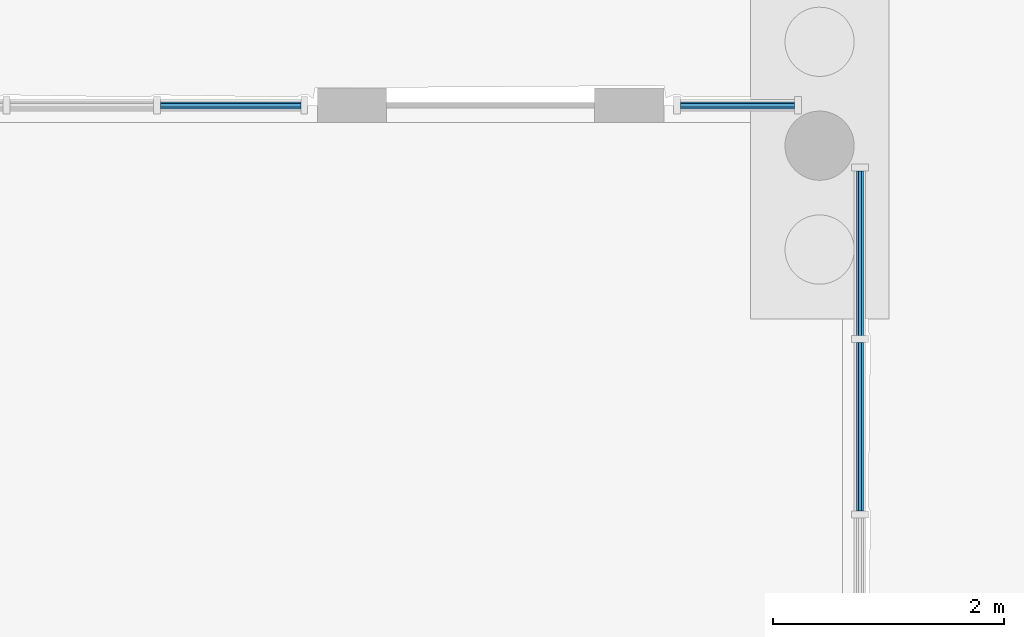
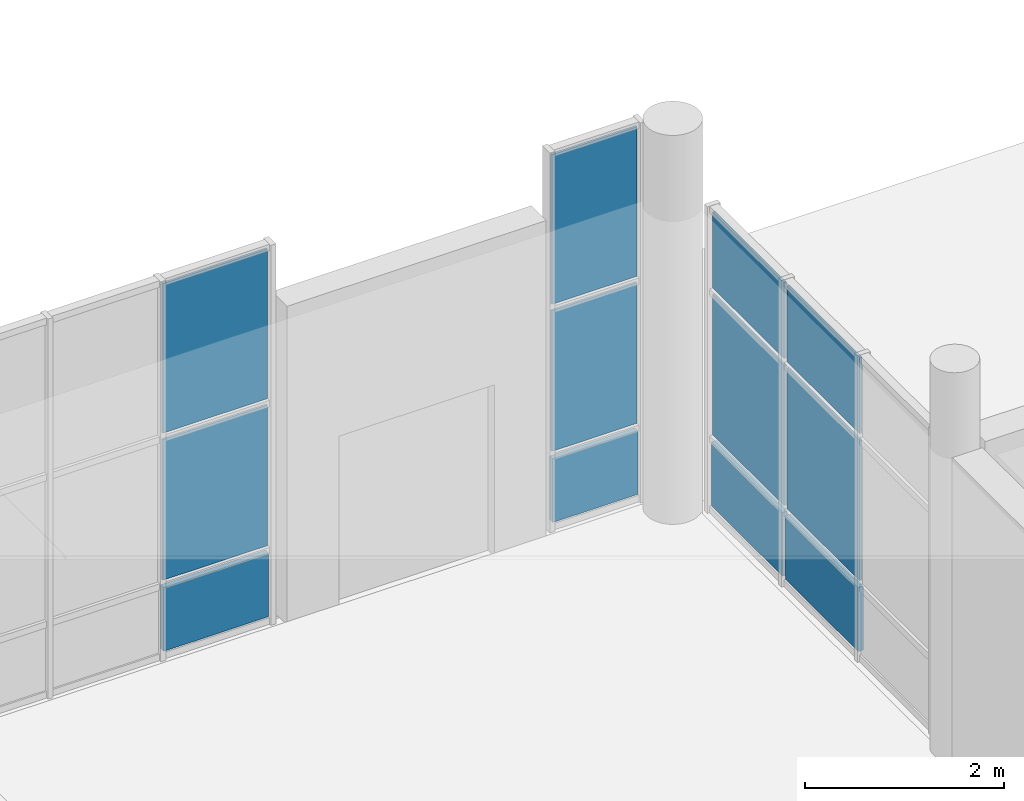
# One storey, part 52 of 110: 12 plates, 3 elements without a shape of their own.
"""IFC4 building model written with IfcOpenShell, lengths in metres."""

from ifc_helpers import new_model, si_unit, direction, frame, origin, origin_2d, place, context, subcontext, project, spatial, rectangle, extrude, material, layer, layer_set, type_object, element, aggregate, save


model = new_model("IFC4")

# Units and contexts
model_context = context("Model", 3, precision=1e-05, world=origin(), true_north=direction((0.0, 1.0)))
body_context = subcontext(model_context, "Body", "Model", "MODEL_VIEW")
ifc_project = project(units=[si_unit("LENGTHUNIT", "METRE"), si_unit("AREAUNIT", "SQUARE_METRE"), si_unit("VOLUMEUNIT", "CUBIC_METRE"), si_unit("PLANEANGLEUNIT", "RADIAN"), si_unit("MASSUNIT", "GRAM", prefix="KILO")], contexts=[model_context])

# Site, building, storey
site_placement = place(None, origin())
site = spatial("IfcSite", under=ifc_project, at=site_placement, CompositionType="ELEMENT")
building_placement = place(site_placement, origin())
building = spatial("IfcBuilding", under=site, at=building_placement, Name="Larchfold Concert Hall", CompositionType="ELEMENT")
storey_placement = place(building_placement, origin())
storey = spatial("IfcBuildingStorey", under=building, at=storey_placement, Name="L00", CompositionType="ELEMENT", Elevation=0.0)

# Curtain wall, plates
ifc_material_1 = material(Name="Anodised graphite aluminium curtain wall", Category="aluminium")
ifc_layer_1 = layer(ifc_material_1, 0.14990234375)
ifc_layer_set_1 = layer_set([ifc_layer_1], Name="Anodised graphite aluminium curtain wall")
curtain_wall_type = type_object("IfcCurtainWallType", Name="Curtain wall WG", PredefinedType="NOTDEFINED", material=ifc_layer_set_1)
curtain_wall_1_placement = place(storey_placement, origin())
curtain_wall_1 = element("IfcCurtainWall", 1, at=curtain_wall_1_placement, inside=storey, type_object=curtain_wall_type, Name="Curtain wall CW0095", PredefinedType="NOTDEFINED")
ifc_material_2 = material(Name="Insulated glazing unit, glass", Category="glass")
ifc_layer_2 = layer(ifc_material_2, 0.028076171875)
ifc_layer_set_2 = layer_set([ifc_layer_2], Name="Insulated glazing unit, glass")
plate_type_1 = type_object("IfcPlateType", Name="Glass panel 28", PredefinedType="CURTAIN_PANEL", material=ifc_layer_set_2)
plate_1_placement = place(storey_placement, frame((76.199951171875, 129.214111328125, 0.93994140625), z_axis=(0.0, 0.0, 1.0), x_axis=(0.0, 1.0, 0.0)))
plate_1 = element("IfcPlate", 2, at=plate_1_placement, type_object=plate_type_1, Name="CW0095 panel 2.2", PredefinedType="CURTAIN_PANEL", context=body_context, shape_type="SweptSolid", body=[
    extrude(rectangle(XDim=1.458740234375, YDim=0.028076171875, at=origin_2d()), origin(), (0.0, 0.0, 1.0), 1.719970703125),
])
plate_2_placement = place(storey_placement, frame((76.199951171875, 129.214111328125, 2.740234375), z_axis=(0.0, 0.0, 1.0), x_axis=(0.0, 1.0, 0.0)))
plate_2 = element("IfcPlate", 3, at=plate_2_placement, type_object=plate_type_1, Name="CW0095 panel 2.3", PredefinedType="CURTAIN_PANEL", context=body_context, shape_type="SweptSolid", body=[
    extrude(rectangle(XDim=1.458740234375, YDim=0.028076171875, at=origin_2d()), origin(), (0.0, 0.0, 1.0), 0.929931640625),
])
plate_3_placement = place(storey_placement, frame((76.199951171875, 130.717529296875, 0.93994140625), z_axis=(0.0, 0.0, 1.0), x_axis=(0.0, 1.0, 0.0)))
plate_3 = element("IfcPlate", 4, at=plate_3_placement, type_object=plate_type_1, Name="CW0095 panel 3.2", PredefinedType="CURTAIN_PANEL", context=body_context, shape_type="SweptSolid", body=[
    extrude(rectangle(XDim=1.4287109375, YDim=0.028076171875, at=origin_2d()), origin(), (0.0, 0.0, 1.0), 1.719970703125),
])
plate_4_placement = place(storey_placement, frame((76.199951171875, 130.717529296875, 2.740234375), z_axis=(0.0, 0.0, 1.0), x_axis=(0.0, 1.0, 0.0)))
plate_4 = element("IfcPlate", 5, at=plate_4_placement, type_object=plate_type_1, Name="CW0095 panel 3.3", PredefinedType="CURTAIN_PANEL", context=body_context, shape_type="SweptSolid", body=[
    extrude(rectangle(XDim=1.4287109375, YDim=0.028076171875, at=origin_2d()), origin(), (0.0, 0.0, 1.0), 0.929931640625),
])

curtain_wall_2_placement = place(storey_placement, origin())
curtain_wall_2 = element("IfcCurtainWall", 6, at=curtain_wall_2_placement, inside=storey, type_object=curtain_wall_type, Name="Curtain wall CW0096", PredefinedType="NOTDEFINED")
plate_5_placement = place(storey_placement, frame((75.138671875, 132.0, 0.93994140625), z_axis=(0.0, 0.0, 1.0), x_axis=(-1.0, 0.0, 0.0)))
plate_5 = element("IfcPlate", 7, at=plate_5_placement, type_object=plate_type_1, Name="CW0096 panel 1.2", PredefinedType="CURTAIN_PANEL", context=body_context, shape_type="SweptSolid", body=[
    extrude(rectangle(XDim=0.987548828125, YDim=0.028076171875, at=origin_2d()), origin(), (0.0, 0.0, 1.0), 1.719970703125),
])
plate_6_placement = place(storey_placement, frame((75.138671875, 132.0, 2.740234375), z_axis=(0.0, 0.0, 1.0), x_axis=(-1.0, 0.0, 0.0)))
plate_6 = element("IfcPlate", 8, at=plate_6_placement, type_object=plate_type_1, Name="CW0096 panel 1.3", PredefinedType="CURTAIN_PANEL", context=body_context, shape_type="SweptSolid", body=[
    extrude(rectangle(XDim=0.987548828125, YDim=0.028076171875, at=origin_2d()), origin(), (0.0, 0.0, 1.0), 1.829833984375),
])

curtain_wall_3_placement = place(storey_placement, origin())
curtain_wall_3 = element("IfcCurtainWall", 9, at=curtain_wall_3_placement, inside=storey, type_object=curtain_wall_type, Name="Curtain wall CW0097", PredefinedType="NOTDEFINED")
plate_7_placement = place(storey_placement, frame((70.74755859375, 132.0, 0.93994140625), z_axis=(0.0, 0.0, 1.0), x_axis=(-1.0, 0.0, 0.0)))
plate_7 = element("IfcPlate", 10, at=plate_7_placement, type_object=plate_type_1, Name="CW0097 panel 1.2", PredefinedType="CURTAIN_PANEL", context=body_context, shape_type="SweptSolid", body=[
    extrude(rectangle(XDim=1.215087890625, YDim=0.028076171875, at=origin_2d()), origin(), (0.0, 0.0, 1.0), 1.719970703125),
])
plate_8_placement = place(storey_placement, frame((70.74755859375, 132.0, 2.740234375), z_axis=(0.0, 0.0, 1.0), x_axis=(-1.0, 0.0, 0.0)))
plate_8 = element("IfcPlate", 11, at=plate_8_placement, type_object=plate_type_1, Name="CW0097 panel 1.3", PredefinedType="CURTAIN_PANEL", context=body_context, shape_type="SweptSolid", body=[
    extrude(rectangle(XDim=1.215087890625, YDim=0.028076171875, at=origin_2d()), origin(), (0.0, 0.0, 1.0), 1.829833984375),
])

# Plate
ifc_material_3 = material(Name="White insulated panel")
ifc_layer_3 = layer(ifc_material_3, 0.06005859375)
ifc_layer_set_3 = layer_set([ifc_layer_3], Name="White insulated panel")
plate_type_2 = type_object("IfcPlateType", Name="Insulated spandrel panel 60", PredefinedType="CURTAIN_PANEL", material=ifc_layer_set_3)
plate_9_placement = place(storey_placement, frame((76.199951171875, 129.214111328125, 0.080078125), z_axis=(0.0, 0.0, 1.0), x_axis=(0.0, 1.0, 0.0)))
plate_9 = element("IfcPlate", 12, at=plate_9_placement, type_object=plate_type_2, Name="CW0095 panel 2.1", PredefinedType="CURTAIN_PANEL", context=body_context, shape_type="SweptSolid", body=[
    extrude(rectangle(XDim=1.458740234375, YDim=0.06005859375, at=origin_2d()), origin(), (0.0, 0.0, 1.0), 0.77978515625),
])

plate_10_placement = place(storey_placement, frame((76.199951171875, 130.717529296875, 0.080078125), z_axis=(0.0, 0.0, 1.0), x_axis=(0.0, 1.0, 0.0)))
plate_10 = element("IfcPlate", 13, at=plate_10_placement, type_object=plate_type_2, Name="CW0095 panel 3.1", PredefinedType="CURTAIN_PANEL", context=body_context, shape_type="SweptSolid", body=[
    extrude(rectangle(XDim=1.4287109375, YDim=0.06005859375, at=origin_2d()), origin(), (0.0, 0.0, 1.0), 0.77978515625),
])

aggregate(curtain_wall_1, [plate_9, plate_1, plate_2, plate_10, plate_3, plate_4])

plate_11_placement = place(storey_placement, frame((75.138671875, 132.0, 0.080078125), z_axis=(0.0, 0.0, 1.0), x_axis=(-1.0, 0.0, 0.0)))
plate_11 = element("IfcPlate", 14, at=plate_11_placement, type_object=plate_type_2, Name="CW0096 panel 1.1", PredefinedType="CURTAIN_PANEL", context=body_context, shape_type="SweptSolid", body=[
    extrude(rectangle(XDim=0.987548828125, YDim=0.06005859375, at=origin_2d()), origin(), (0.0, 0.0, 1.0), 0.77978515625),
])

aggregate(curtain_wall_2, [plate_11, plate_5, plate_6])

plate_12_placement = place(storey_placement, frame((70.74755859375, 132.0, 0.080078125), z_axis=(0.0, 0.0, 1.0), x_axis=(-1.0, 0.0, 0.0)))
plate_12 = element("IfcPlate", 15, at=plate_12_placement, type_object=plate_type_2, Name="CW0097 panel 1.1", PredefinedType="CURTAIN_PANEL", context=body_context, shape_type="SweptSolid", body=[
    extrude(rectangle(XDim=1.215087890625, YDim=0.06005859375, at=origin_2d()), origin(), (0.0, 0.0, 1.0), 0.77978515625),
])

aggregate(curtain_wall_3, [plate_12, plate_7, plate_8])

save(model, "model.ifc")
